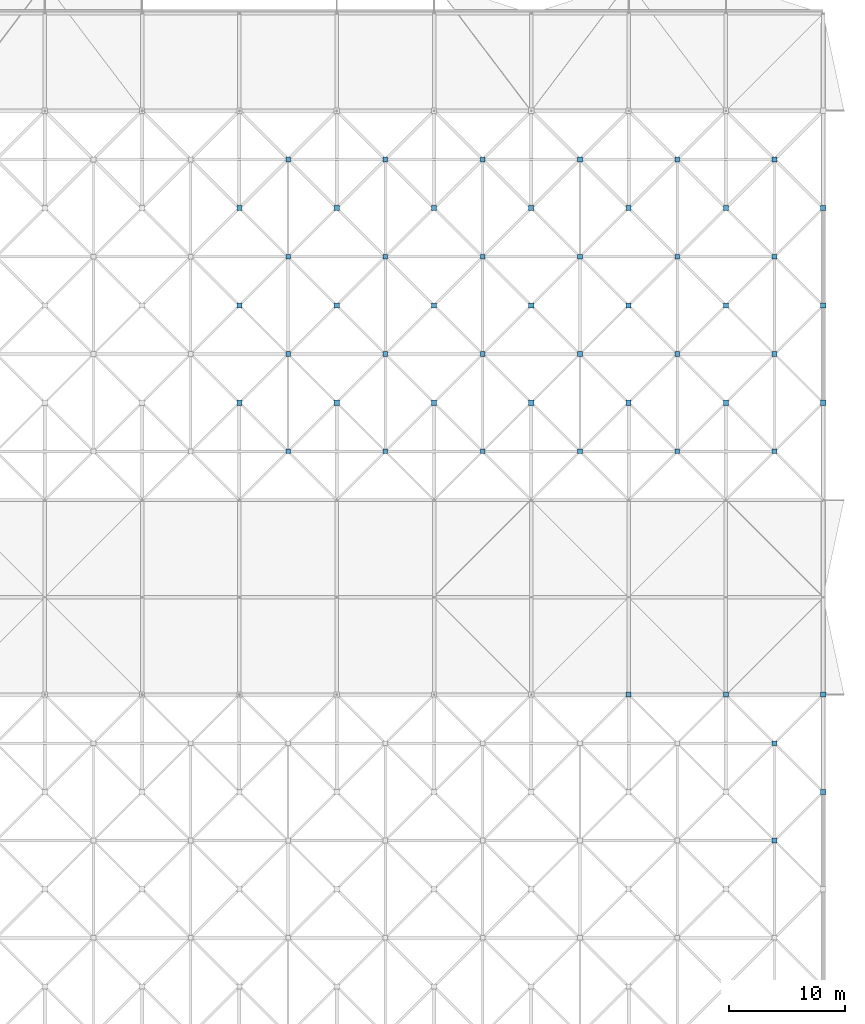
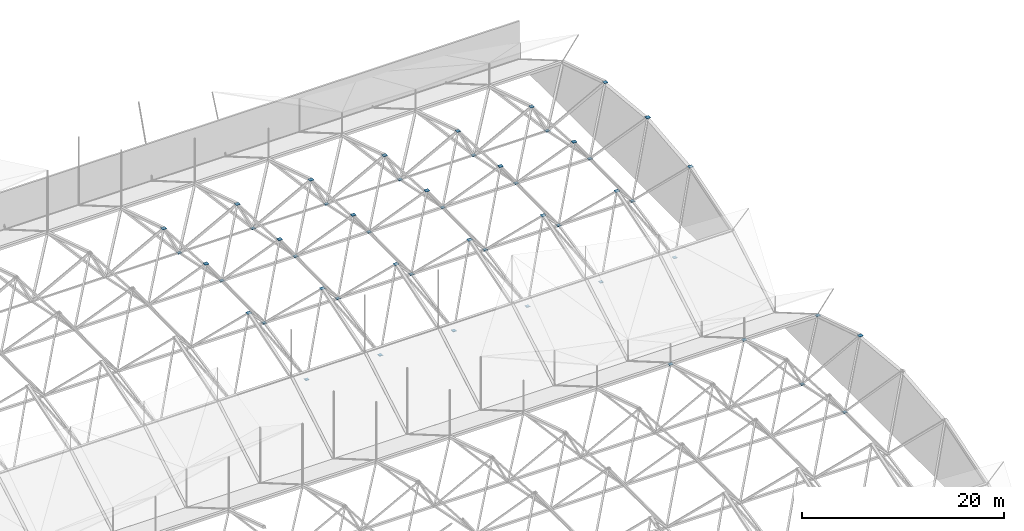
# One storey, part 107 of 111: 51 discrete accessories.
"""IFC4 building model written with IfcOpenShell, lengths in metres."""

from ifc_helpers import new_model, si_unit, direction, frame, origin, origin_2d, place, context, subcontext, project, spatial, rectangle, extrude, material, layer, layer_set, type_object, element, save


model = new_model("IFC4")

# Units and contexts
model_context = context("Model", 3, precision=1e-05, world=origin(), true_north=direction((0.0, 1.0)))
body_context = subcontext(model_context, "Body", "Model", "MODEL_VIEW")
ifc_project = project(units=[si_unit("LENGTHUNIT", "METRE"), si_unit("AREAUNIT", "SQUARE_METRE"), si_unit("VOLUMEUNIT", "CUBIC_METRE"), si_unit("PLANEANGLEUNIT", "RADIAN"), si_unit("MASSUNIT", "GRAM", prefix="KILO")], contexts=[model_context])

# Site, building, storey
site_placement = place(None, origin())
site = spatial("IfcSite", under=ifc_project, at=site_placement, CompositionType="ELEMENT")
building_placement = place(site_placement, origin())
building = spatial("IfcBuilding", under=site, at=building_placement, Name="Rain Tree Exposition and Congress Centre", CompositionType="ELEMENT")
storey_placement = place(building_placement, frame((0.0, 0.0, 19.5)))
storey = spatial("IfcBuildingStorey", under=building, at=storey_placement, Name="RF", CompositionType="ELEMENT", Elevation=19.5)

# Discrete accessories
ifc_material_1 = material(Name="Steel plate S355J2", Category="steel")
ifc_layer_1 = layer(ifc_material_1, 0.02001953125)
ifc_layer_set_1 = layer_set([ifc_layer_1], Name="Steel plate S355J2")
discrete_accessory_type_1 = type_object("IfcDiscreteAccessoryType", Name="Brace node plate 400x400x20", PredefinedType="BRACKET", material=ifc_layer_set_1)
for number, where, z_axis, x_axis, name in (
    (1, (239.39990234375, 130.199951171875, 2.678955078125), (0.0, 0.0, 1.0), (1.0, 0.0, 0.0), "Brace node plate 400"),
    (2, (239.39990234375, 138.60009765625, 0.955078125), (0.0, 0.0, 1.0), (1.0, 0.0, 0.0), "Brace node plate 400"),
    (3, (197.39990234375, 163.800048828125, 0.955078125), (0.0, 0.0, 1.0), (1.0, 0.0, 0.0), "Brace node plate 400"),
    (4, (205.800048828125, 163.800048828125, 0.955078125), (0.0, 0.0, 1.0), (1.0, 0.0, 0.0), "Brace node plate 400"),
    (5, (214.199951171875, 163.800048828125, 0.955078125), (0.0, 0.0, 1.0), (1.0, 0.0, 0.0), "Brace node plate 400"),
    (6, (222.60009765625, 163.800048828125, 0.955078125), (0.0, 0.0, 1.0), (1.0, 0.0, 0.0), "Brace node plate 400"),
    (7, (231.0, 163.800048828125, 0.955078125), (0.0, 0.0, 1.0), (1.0, 0.0, 0.0), "Brace node plate 400"),
    (8, (239.39990234375, 163.800048828125, 0.955078125), (0.0, 0.0, 1.0), (1.0, 0.0, 0.0), "Brace node plate 400"),
    (9, (197.39990234375, 172.199951171875, 2.678955078125), (0.0, 0.0, 1.0), (1.0, 0.0, 0.0), "Brace node plate 400"),
    (10, (205.800048828125, 172.199951171875, 2.678955078125), (0.0, 0.0, 1.0), (1.0, 0.0, 0.0), "Brace node plate 400"),
    (11, (214.199951171875, 172.199951171875, 2.678955078125), (0.0, 0.0, 1.0), (1.0, 0.0, 0.0), "Brace node plate 400"),
    (12, (222.60009765625, 172.199951171875, 2.678955078125), (0.0, 0.0, 1.0), (1.0, 0.0, 0.0), "Brace node plate 400"),
    (13, (231.0, 172.199951171875, 2.678955078125), (0.0, 0.0, 1.0), (1.0, 0.0, 0.0), "Brace node plate 400"),
    (14, (239.39990234375, 172.199951171875, 2.678955078125), (0.0, 0.0, 1.0), (1.0, 0.0, 0.0), "Brace node plate 400"),
    (15, (197.39990234375, 180.60009765625, 2.678955078125), (0.0, 0.0, 1.0), (1.0, 0.0, 0.0), "Brace node plate 400"),
    (16, (205.800048828125, 180.60009765625, 2.678955078125), (0.0, 0.0, 1.0), (1.0, 0.0, 0.0), "Brace node plate 400"),
    (17, (214.199951171875, 180.60009765625, 2.678955078125), (0.0, 0.0, 1.0), (1.0, 0.0, 0.0), "Brace node plate 400"),
    (18, (222.60009765625, 180.60009765625, 2.678955078125), (0.0, 0.0, 1.0), (1.0, 0.0, 0.0), "Brace node plate 400"),
    (19, (231.0, 180.60009765625, 2.678955078125), (0.0, 0.0, 1.0), (1.0, 0.0, 0.0), "Brace node plate 400"),
    (20, (239.39990234375, 180.60009765625, 2.678955078125), (0.0, 0.0, 1.0), (1.0, 0.0, 0.0), "Brace node plate 400"),
    (21, (197.39990234375, 189.0, 0.955078125), (0.0, 0.0, 1.0), (1.0, 0.0, 0.0), "Brace node plate 400"),
    (22, (205.800048828125, 189.0, 0.955078125), (0.0, 0.0, 1.0), (1.0, 0.0, 0.0), "Brace node plate 400"),
    (23, (214.199951171875, 189.0, 0.955078125), (0.0, 0.0, 1.0), (1.0, 0.0, 0.0), "Brace node plate 400"),
    (24, (222.60009765625, 189.0, 0.955078125), (0.0, 0.0, 1.0), (1.0, 0.0, 0.0), "Brace node plate 400"),
    (25, (231.0, 189.0, 0.955078125), (0.0, 0.0, 1.0), (1.0, 0.0, 0.0), "Brace node plate 400"),
    (26, (239.39990234375, 189.0, 0.955078125), (0.0, 0.0, 1.0), (1.0, 0.0, 0.0), "Brace node plate 400"),
):
    element("IfcDiscreteAccessory", number, at=place(storey_placement, frame(where, z_axis=z_axis, x_axis=x_axis)), inside=storey, type_object=discrete_accessory_type_1, Name=name, PredefinedType="BRACKET", context=body_context, shape_type="SweptSolid", body=[
        extrude(rectangle(XDim=0.39990234375, YDim=0.39990234375, at=origin_2d()), origin(), (0.0, 0.0, 1.0), 0.02001953125),
    ])
ifc_material_2 = material(Name="Steel plate S355J2", Category="steel")
ifc_layer_2 = layer(ifc_material_2, 0.02001953125)
ifc_layer_set_2 = layer_set([ifc_layer_2], Name="Steel plate S355J2")
discrete_accessory_type_2 = type_object("IfcDiscreteAccessoryType", Name="Brace node plate 450x450x20", PredefinedType="BRACKET", material=ifc_layer_set_2)
for number, where, z_axis, x_axis, name in (
    (27, (243.60009765625, 134.39990234375, 7.890869140625), (0.0, 0.0, 1.0), (1.0, 0.0, 0.0), "Brace node plate 450"),
    (28, (226.800048828125, 142.800048828125, 5.23388671875), (0.0, 0.0, 1.0), (1.0, 0.0, 0.0), "Brace node plate 450"),
    (29, (235.199951171875, 142.800048828125, 5.23388671875), (0.0, 0.0, 1.0), (1.0, 0.0, 0.0), "Brace node plate 450"),
    (30, (243.60009765625, 142.800048828125, 5.23388671875), (0.0, 0.0, 1.0), (1.0, 0.0, 0.0), "Brace node plate 450"),
    (31, (193.199951171875, 168.0, 7.890869140625), (0.0, 0.0, 1.0), (1.0, 0.0, 0.0), "Brace node plate 450"),
    (32, (201.60009765625, 168.0, 7.890869140625), (0.0, 0.0, 1.0), (1.0, 0.0, 0.0), "Brace node plate 450"),
    (33, (210.0, 168.0, 7.890869140625), (0.0, 0.0, 1.0), (1.0, 0.0, 0.0), "Brace node plate 450"),
    (34, (218.39990234375, 168.0, 7.890869140625), (0.0, 0.0, 1.0), (1.0, 0.0, 0.0), "Brace node plate 450"),
    (35, (226.800048828125, 168.0, 7.890869140625), (0.0, 0.0, 1.0), (1.0, 0.0, 0.0), "Brace node plate 450"),
    (36, (235.199951171875, 168.0, 7.890869140625), (0.0, 0.0, 1.0), (1.0, 0.0, 0.0), "Brace node plate 450"),
    (37, (243.60009765625, 168.0, 7.890869140625), (0.0, 0.0, 1.0), (1.0, 0.0, 0.0), "Brace node plate 450"),
    (38, (193.199951171875, 176.39990234375, 8.739990234375), (0.0, 0.0, 1.0), (1.0, 0.0, 0.0), "Brace node plate 450"),
    (39, (201.60009765625, 176.39990234375, 8.739990234375), (0.0, 0.0, 1.0), (1.0, 0.0, 0.0), "Brace node plate 450"),
    (40, (210.0, 176.39990234375, 8.739990234375), (0.0, 0.0, 1.0), (1.0, 0.0, 0.0), "Brace node plate 450"),
    (41, (218.39990234375, 176.39990234375, 8.739990234375), (0.0, 0.0, 1.0), (1.0, 0.0, 0.0), "Brace node plate 450"),
    (42, (226.800048828125, 176.39990234375, 8.739990234375), (0.0, 0.0, 1.0), (1.0, 0.0, 0.0), "Brace node plate 450"),
    (43, (235.199951171875, 176.39990234375, 8.739990234375), (0.0, 0.0, 1.0), (1.0, 0.0, 0.0), "Brace node plate 450"),
    (44, (243.60009765625, 176.39990234375, 8.739990234375), (0.0, 0.0, 1.0), (1.0, 0.0, 0.0), "Brace node plate 450"),
    (45, (193.199951171875, 184.800048828125, 7.890869140625), (0.0, 0.0, 1.0), (1.0, 0.0, 0.0), "Brace node plate 450"),
    (46, (201.60009765625, 184.800048828125, 7.890869140625), (0.0, 0.0, 1.0), (1.0, 0.0, 0.0), "Brace node plate 450"),
    (47, (210.0, 184.800048828125, 7.890869140625), (0.0, 0.0, 1.0), (1.0, 0.0, 0.0), "Brace node plate 450"),
    (48, (218.39990234375, 184.800048828125, 7.890869140625), (0.0, 0.0, 1.0), (1.0, 0.0, 0.0), "Brace node plate 450"),
    (49, (226.800048828125, 184.800048828125, 7.890869140625), (0.0, 0.0, 1.0), (1.0, 0.0, 0.0), "Brace node plate 450"),
    (50, (235.199951171875, 184.800048828125, 7.890869140625), (0.0, 0.0, 1.0), (1.0, 0.0, 0.0), "Brace node plate 450"),
    (51, (243.60009765625, 184.800048828125, 7.890869140625), (0.0, 0.0, 1.0), (1.0, 0.0, 0.0), "Brace node plate 450"),
):
    element("IfcDiscreteAccessory", number, at=place(storey_placement, frame(where, z_axis=z_axis, x_axis=x_axis)), inside=storey, type_object=discrete_accessory_type_2, Name=name, PredefinedType="BRACKET", context=body_context, shape_type="SweptSolid", body=[
        extrude(rectangle(XDim=0.449951171875, YDim=0.449951171875, at=origin_2d()), origin(), (0.0, 0.0, 1.0), 0.02001953125),
    ])

save(model, "model.ifc")
